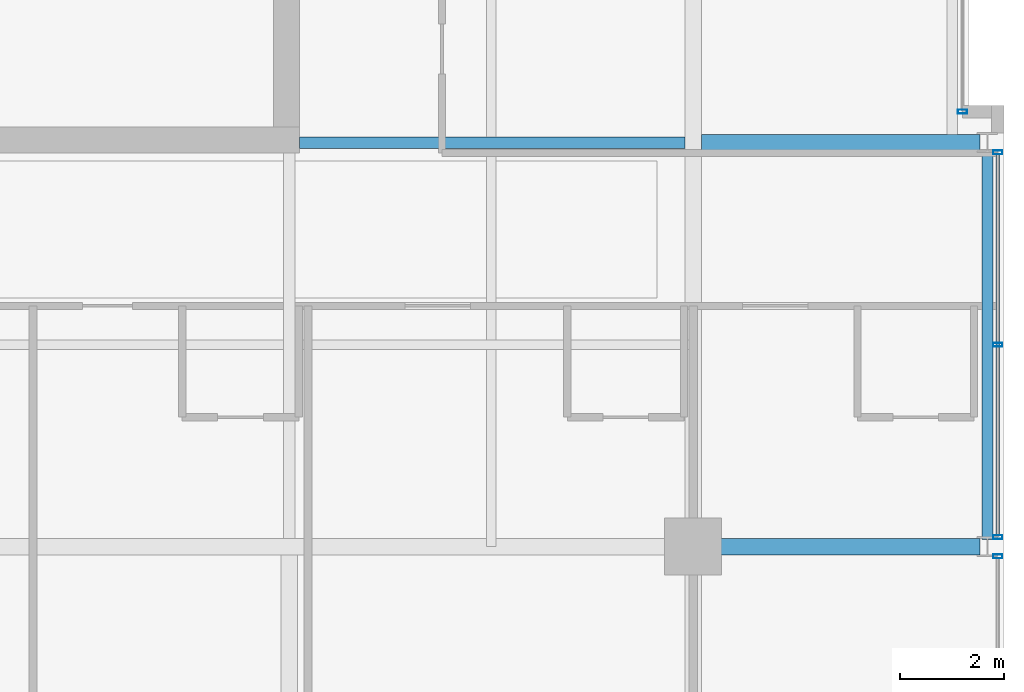
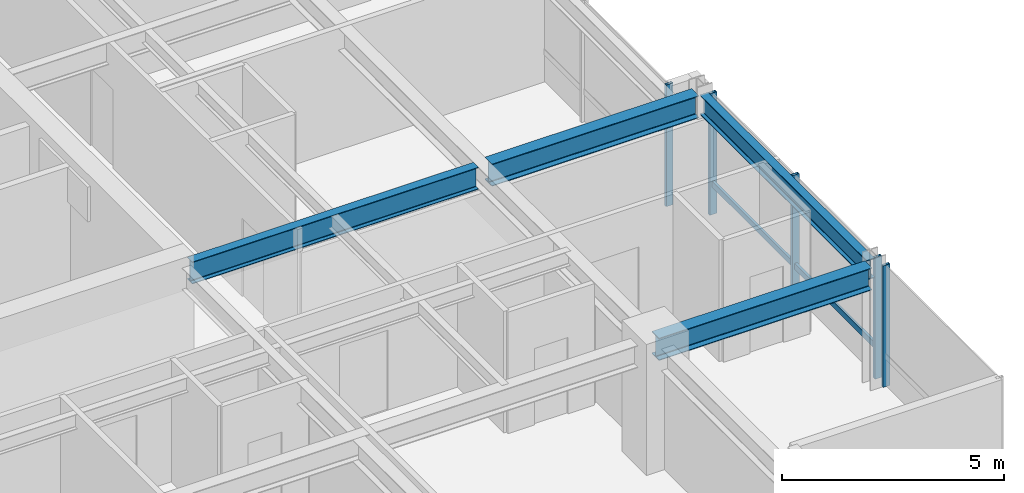
# One storey, part 13 of 32: 6 members, 4 beams, 3 elements without a shape of their own.
"""IFC4 building model written with IfcOpenShell, lengths in metres."""

from ifc_helpers import new_model, si_unit, direction, frame, origin, origin_2d, place, context, subcontext, project, spatial, hollow_rectangle, i_section, extrude, material, layer, layer_set, material_profile, profile_set, type_object, element, aggregate, save


model = new_model("IFC4")

# Units and contexts
model_context = context("Model", 3, precision=1e-05, world=origin(), true_north=direction((0.0, 1.0)))
body_context = subcontext(model_context, "Body", "Model", "MODEL_VIEW")
ifc_project = project(units=[si_unit("LENGTHUNIT", "METRE"), si_unit("AREAUNIT", "SQUARE_METRE"), si_unit("VOLUMEUNIT", "CUBIC_METRE"), si_unit("PLANEANGLEUNIT", "RADIAN"), si_unit("MASSUNIT", "GRAM", prefix="KILO")], contexts=[model_context])

# Site, building, storey
site_placement = place(None, origin())
site = spatial("IfcSite", under=ifc_project, at=site_placement, CompositionType="ELEMENT")
building_placement = place(site_placement, origin())
building = spatial("IfcBuilding", under=site, at=building_placement, Name="Drelvath Grand Hotel", CompositionType="ELEMENT")
storey_placement = place(building_placement, frame((0.0, 0.0, 233.89990234375)))
storey = spatial("IfcBuildingStorey", under=building, at=storey_placement, Name="L61", CompositionType="ELEMENT", Elevation=233.89990234375)

# Curtain wall, member
ifc_material_1 = material(Name="Platinum-Mist Anodised Aluminium Frame", Category="aluminium")
ifc_layer = layer(ifc_material_1, 0.199951171875)
ifc_layer_set = layer_set([ifc_layer], Name="Platinum-Mist Anodised Aluminium Frame")
curtain_wall_type = type_object("IfcCurtainWallType", Name="Stick Curtain Wall CW-05 Platinum Mist High-Rise", PredefinedType="NOTDEFINED", material=ifc_layer_set)
curtain_wall_1_placement = place(storey_placement, origin())
curtain_wall_1 = element("IfcCurtainWall", 1, at=curtain_wall_1_placement, inside=storey, type_object=curtain_wall_type, Name="L61 CW-05 Curtain Wall CW05-L61-ES2", PredefinedType="NOTDEFINED")
ifc_material_profile_1 = material_profile(ifc_material_1, hollow_rectangle(XDim=0.06494140625, YDim=0.159912109375, WallThickness=0.00390625, at=origin_2d()), Name="HSS160X65X4")
ifc_profile_set_1 = profile_set([ifc_material_profile_1], Name="Platinum-Mist Anodised Aluminium Frame")
member_type_1 = type_object("IfcMemberType", Name="Curtain Wall Horizontal Transom CW-05 HSS160X65X4", PredefinedType="USERDEFINED", material=ifc_profile_set_1)
member_1_placement = place(storey_placement, frame((22.080078125, 18.374755859375, 0.835205078125), z_axis=(0.0, -1.0, 0.0), x_axis=(1.0, 0.0, 0.0)))
member_1 = element("IfcMember", 2, at=member_1_placement, type_object=member_type_1, Name="CW05-L61-ES2 Sill Transom", ObjectType="TRANSOM", PredefinedType="USERDEFINED", context=body_context, shape_type="SweptSolid", body=[
    extrude(hollow_rectangle(XDim=0.06494140625, YDim=0.159912109375, WallThickness=0.00390625, at=origin_2d()), origin(), (0.0, 0.0, 1.0), 7.349365234375),
])

curtain_wall_2_placement = place(storey_placement, origin())
curtain_wall_2 = element("IfcCurtainWall", 3, at=curtain_wall_2_placement, inside=storey, type_object=curtain_wall_type, Name="L61 CW-05 Curtain Wall CW05-L61-EM1", PredefinedType="NOTDEFINED")
ifc_material_profile_2 = material_profile(ifc_material_1, hollow_rectangle(XDim=0.074951171875, YDim=0.179931640625, WallThickness=0.0048828125, at=origin_2d()), Name="HSS180X75X5")
ifc_profile_set_2 = profile_set([ifc_material_profile_2], Name="Platinum-Mist Anodised Aluminium Frame")
member_type_2 = type_object("IfcMemberType", Name="Curtain Wall Vertical Mullion CW-05 HSS180X75X5", PredefinedType="MULLION", material=ifc_profile_set_2)
member_2_placement = place(storey_placement, frame((21.39990234375, 19.199951171875, 0.0), z_axis=(0.0, 0.0, 1.0), x_axis=(0.0, 1.0, 0.0)))
member_2 = element("IfcMember", 4, at=member_2_placement, type_object=member_type_2, Name="CW05-L61-EM1 Mullion 3", PredefinedType="MULLION", context=body_context, shape_type="SweptSolid", body=[
    extrude(hollow_rectangle(XDim=0.074951171875, YDim=0.179931640625, WallThickness=0.0048828125, at=origin_2d()), origin(), (0.0, 0.0, 1.0), 3.340087890625),
])
aggregate(curtain_wall_2, [member_2])

curtain_wall_3_placement = place(storey_placement, origin())
curtain_wall_3 = element("IfcCurtainWall", 5, at=curtain_wall_3_placement, inside=storey, type_object=curtain_wall_type, Name="L61 CW-05 Curtain Wall CW05-L61-ES1", PredefinedType="NOTDEFINED")
member_3_placement = place(storey_placement, frame((22.080078125, 10.61474609375, 0.0), z_axis=(0.0, 0.0, 1.0), x_axis=(0.0, 1.0, 0.0)))
member_3 = element("IfcMember", 6, at=member_3_placement, type_object=member_type_2, Name="CW05-L61-ES1 Mullion 1", PredefinedType="MULLION", context=body_context, shape_type="SweptSolid", body=[
    extrude(hollow_rectangle(XDim=0.074951171875, YDim=0.179931640625, WallThickness=0.0048828125, at=origin_2d()), origin(), (0.0, 0.0, 1.0), 3.340087890625),
])
aggregate(curtain_wall_3, [member_3])

# Member
member_4_placement = place(storey_placement, frame((22.080078125, 18.414794921875, 0.0), z_axis=(0.0, 0.0, 1.0), x_axis=(0.0, 1.0, 0.0)))
member_4 = element("IfcMember", 7, at=member_4_placement, type_object=member_type_2, Name="CW05-L61-ES2 Mullion 1", PredefinedType="MULLION", context=body_context, shape_type="SweptSolid", body=[
    extrude(hollow_rectangle(XDim=0.074951171875, YDim=0.179931640625, WallThickness=0.0048828125, at=origin_2d()), origin(), (0.0, 0.0, 1.0), 3.340087890625),
])

member_5_placement = place(storey_placement, frame((22.080078125, 14.699951171875, 0.0), z_axis=(0.0, 0.0, 1.0), x_axis=(0.0, 1.0, 0.0)))
member_5 = element("IfcMember", 8, at=member_5_placement, type_object=member_type_2, Name="CW05-L61-ES2 Mullion 2", PredefinedType="MULLION", context=body_context, shape_type="SweptSolid", body=[
    extrude(hollow_rectangle(XDim=0.074951171875, YDim=0.179931640625, WallThickness=0.0048828125, at=origin_2d()), origin(), (0.0, 0.0, 1.0), 3.340087890625),
])

member_6_placement = place(storey_placement, frame((22.080078125, 10.9853515625, 0.0), z_axis=(0.0, 0.0, 1.0), x_axis=(0.0, 1.0, 0.0)))
member_6 = element("IfcMember", 9, at=member_6_placement, type_object=member_type_2, Name="CW05-L61-ES2 Mullion 3", PredefinedType="MULLION", context=body_context, shape_type="SweptSolid", body=[
    extrude(hollow_rectangle(XDim=0.074951171875, YDim=0.179931640625, WallThickness=0.0048828125, at=origin_2d()), origin(), (0.0, 0.0, 1.0), 3.340087890625),
])

aggregate(curtain_wall_1, [member_4, member_5, member_6, member_1])

# Beams
ifc_material_2 = material(Name="Steel ASTM A992 Gr 50", Category="steel")
ifc_material_profile_3 = material_profile(ifc_material_2, i_section(OverallWidth=0.210205078125, OverallDepth=0.53662109375, WebThickness=0.010986328125, FlangeThickness=0.017333984375, FilletRadius=0.01806640625, at=origin_2d()), Name="W21X68")
ifc_profile_set_3 = profile_set([ifc_material_profile_3], Name="Steel ASTM A992 Gr 50")
beam_type_1 = type_object("IfcBeamType", Name="Perimeter Spandrel Beam W21X68", PredefinedType="SPANDREL", material=ifc_profile_set_3)
beam_1_placement = place(storey_placement, frame((21.8798828125, 10.93994140625, 3.07177734375), z_axis=(0.0, 1.0, 0.0), x_axis=(-1.0, 0.0, 0.0)))
element("IfcBeam", 10, at=beam_1_placement, inside=storey, type_object=beam_type_1, Name="L61 Spandrel East S", PredefinedType="SPANDREL", context=body_context, shape_type="SweptSolid", body=[
    extrude(i_section(OverallWidth=0.210205078125, OverallDepth=0.53662109375, WebThickness=0.010986328125, FlangeThickness=0.017333984375, FilletRadius=0.01806640625, at=origin_2d()), origin(), (0.0, 0.0, 1.0), 7.52001953125),
])
ifc_material_profile_4 = material_profile(ifc_material_2, i_section(OverallWidth=0.323974609375, OverallDepth=0.611083984375, WebThickness=0.0126953125, FlangeThickness=0.01904296875, FilletRadius=0.02197265625, at=origin_2d()), Name="W24X104")
ifc_profile_set_4 = profile_set([ifc_material_profile_4], Name="Steel ASTM A992 Gr 50")
beam_type_2 = type_object("IfcBeamType", Name="Primary Floor Girder W24X104", PredefinedType="BEAM", material=ifc_profile_set_4)
beam_2_placement = place(storey_placement, frame((16.199951171875, 10.800048828125, 3.034423828125), z_axis=(1.0, 0.0, 0.0), x_axis=(0.0, 1.0, 0.0)))
element("IfcBeam", 11, at=beam_2_placement, inside=storey, type_object=beam_type_2, Name="L61 East Grid Girder C", PredefinedType="BEAM", context=body_context, shape_type="SweptSolid", body=[
    extrude(i_section(OverallWidth=0.323974609375, OverallDepth=0.611083984375, WebThickness=0.0126953125, FlangeThickness=0.01904296875, FilletRadius=0.02197265625, at=origin_2d()), origin(), (0.0, 0.0, 1.0), 5.5400390625),
])
beam_3_placement = place(storey_placement, frame((16.362060546875, 18.60009765625, 3.034423828125), z_axis=(1.0, 0.0, 0.0), x_axis=(0.0, 1.0, 0.0)))
element("IfcBeam", 12, at=beam_3_placement, inside=storey, type_object=beam_type_2, Name="L61 East Wing Girder D", PredefinedType="BEAM", context=body_context, shape_type="SweptSolid", body=[
    extrude(i_section(OverallWidth=0.323974609375, OverallDepth=0.611083984375, WebThickness=0.0126953125, FlangeThickness=0.01904296875, FilletRadius=0.02197265625, at=origin_2d()), origin(), (0.0, 0.0, 1.0), 5.3779296875),
])
ifc_material_profile_5 = material_profile(ifc_material_2, i_section(OverallWidth=0.228271484375, OverallDepth=0.607666015625, WebThickness=0.01123046875, FlangeThickness=0.017333984375, FilletRadius=0.02001953125, at=origin_2d()), Name="W24X76")
ifc_profile_set_5 = profile_set([ifc_material_profile_5], Name="Steel ASTM A992 Gr 50")
beam_type_3 = type_object("IfcBeamType", Name="Primary Floor Girder W24X76", PredefinedType="BEAM", material=ifc_profile_set_5)
beam_4_placement = place(storey_placement, frame((8.60009765625, 18.60009765625, 3.036376953125), z_axis=(1.0, 0.0, 0.0), x_axis=(0.0, 1.0, 0.0)))
element("IfcBeam", 13, at=beam_4_placement, inside=storey, type_object=beam_type_3, Name="L61 East Core Tie D", PredefinedType="BEAM", context=body_context, shape_type="SweptSolid", body=[
    extrude(i_section(OverallWidth=0.228271484375, OverallDepth=0.607666015625, WebThickness=0.01123046875, FlangeThickness=0.017333984375, FilletRadius=0.02001953125, at=origin_2d()), origin(), (0.0, 0.0, 1.0), 7.43798828125),
])

save(model, "model.ifc")
